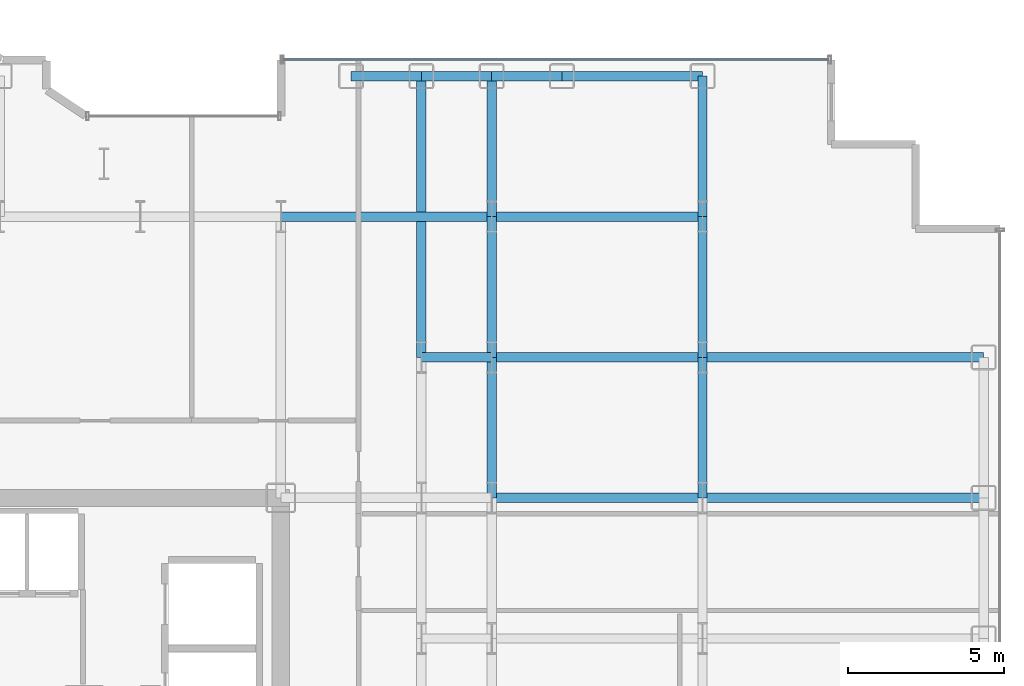
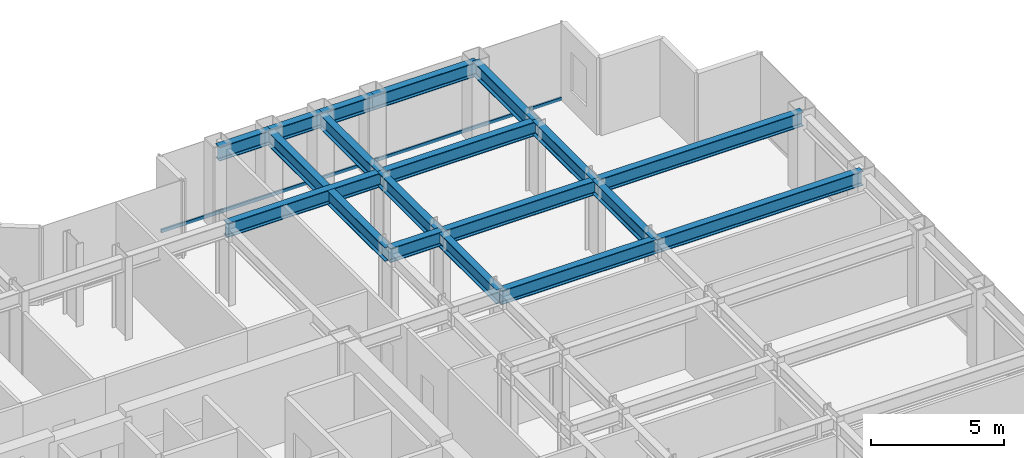
# One storey, part 13 of 26: 18 beams, 1 member, 1 element without a shape of its own.
"""IFC4 building model written with IfcOpenShell, lengths in metres."""

from ifc_helpers import new_model, si_unit, direction, frame, origin, origin_2d, place, context, subcontext, project, spatial, hollow_rectangle, i_section, extrude, source, transform, mapped, material, layer, layer_set, material_profile, profile_set, type_object, element, aggregate, save


model = new_model("IFC4")

# Units and contexts
model_context = context("Model", 3, precision=1e-05, world=origin(), true_north=direction((0.0, 1.0)))
body_context = subcontext(model_context, "Body", "Model", "MODEL_VIEW")
ifc_project = project(units=[si_unit("LENGTHUNIT", "METRE"), si_unit("AREAUNIT", "SQUARE_METRE"), si_unit("VOLUMEUNIT", "CUBIC_METRE"), si_unit("PLANEANGLEUNIT", "RADIAN"), si_unit("MASSUNIT", "GRAM", prefix="KILO")], contexts=[model_context])

# Site, building, storey
site_placement = place(None, origin())
site = spatial("IfcSite", under=ifc_project, at=site_placement, CompositionType="ELEMENT")
building_placement = place(site_placement, origin())
building = spatial("IfcBuilding", under=site, at=building_placement, Name="Nefas-Gora Pilgrimage Tower", CompositionType="ELEMENT")
storey_placement = place(building_placement, frame((0.0, 0.0, 132.60009765625)))
storey = spatial("IfcBuildingStorey", under=building, at=storey_placement, Name="L32", CompositionType="ELEMENT", Elevation=132.60009765625)

# Beams
ifc_material_1 = material(Name="Steel S355", Category="steel")
ifc_material_profile_1 = material_profile(ifc_material_1, i_section(OverallWidth=0.300048828125, OverallDepth=0.64990234375, WebThickness=0.01611328125, FlangeThickness=0.031005859375, FilletRadius=0.027099609375, at=origin_2d()), Name="HEB 650")
ifc_profile_set_1 = profile_set([ifc_material_profile_1], Name="Steel S355")
beam_type_1 = type_object("IfcBeamType", Name="BM-SPN-HEB500", PredefinedType="SPANDREL", material=ifc_profile_set_1)
shared_shape_1 = source(origin(), body_context, "Body", "SweptSolid", [
    extrude(i_section(OverallWidth=0.300048828125, OverallDepth=0.64990234375, WebThickness=0.01611328125, FlangeThickness=0.031005859375, FilletRadius=0.027099609375, at=origin_2d()), origin(), (0.0, 0.0, 1.0), 4.5),
])
beam_1_placement = place(storey_placement, frame((20.25, 22.5, 3.224853515625), z_axis=(1.0, 0.0, 0.0), x_axis=(0.0, 1.0, 0.0)))
element("IfcBeam", 1, at=beam_1_placement, inside=storey, type_object=beam_type_1, Name="L32 SP-02 beam", PredefinedType="SPANDREL", context=body_context, shape_type="MappedRepresentation", body=[
    mapped(shared_shape_1, transform((0.0, 0.0, 0.0), x_axis=(1.0, 0.0, 0.0), y_axis=(0.0, 1.0, 0.0), z_axis=(0.0, 0.0, 1.0), scale=1.0)),
])
ifc_material_profile_2 = material_profile(ifc_material_1, i_section(OverallWidth=0.300048828125, OverallDepth=0.64990234375, WebThickness=0.01611328125, FlangeThickness=0.031005859375, FilletRadius=0.027099609375, at=origin_2d()), Name="HEB 650")
ifc_profile_set_2 = profile_set([ifc_material_profile_2], Name="Steel S355")
beam_type_2 = type_object("IfcBeamType", Name="BM-GIR-HEB650", PredefinedType="BEAM", material=ifc_profile_set_2)
shared_shape_2 = source(origin(), body_context, "Body", "SweptSolid", [
    extrude(i_section(OverallWidth=0.300048828125, OverallDepth=0.64990234375, WebThickness=0.01611328125, FlangeThickness=0.031005859375, FilletRadius=0.027099609375, at=origin_2d()), origin(), (0.0, 0.0, 1.0), 9.0),
])
for number, where, z_axis, x_axis, name in (
    (2, (15.75, 13.5, 3.224853515625), (0.0, 1.0, 0.0), (-1.0, 0.0, 0.0), "L32 G-03 beam"),
    (3, (24.75, 9.0, 3.224853515625), (1.0, 0.0, 0.0), (0.0, 1.0, 0.0), "L32 G-03 beam"),
    (4, (24.75, 13.5, 3.224853515625), (1.0, 0.0, 0.0), (0.0, 1.0, 0.0), "L32 G-03 beam"),
):
    element("IfcBeam", number, at=place(storey_placement, frame(where, z_axis=z_axis, x_axis=x_axis)), inside=storey, type_object=beam_type_2, Name=name, PredefinedType="BEAM", context=body_context, shape_type="MappedRepresentation", body=[
        mapped(shared_shape_2, transform((0.0, 0.0, 0.0), x_axis=(1.0, 0.0, 0.0), y_axis=(0.0, 1.0, 0.0), z_axis=(0.0, 0.0, 1.0), scale=1.0)),
    ])
shared_shape_3 = source(origin(), body_context, "Body", "SweptSolid", [
    extrude(i_section(OverallWidth=0.300048828125, OverallDepth=0.64990234375, WebThickness=0.01611328125, FlangeThickness=0.031005859375, FilletRadius=0.027099609375, at=origin_2d()), origin(), (0.0, 0.0, 1.0), 4.5),
])
for number, where, z_axis, x_axis, name in (
    (5, (18.0, 9.0, 3.224853515625), (0.0, 1.0, 0.0), (-1.0, 0.0, 0.0), "L32 G-03 beam"),
    (6, (18.0, 13.5, 3.224853515625), (0.0, 1.0, 0.0), (-1.0, 0.0, 0.0), "L32 G-03 beam"),
    (7, (18.0, 18.0, 3.224853515625), (0.0, 1.0, 0.0), (-1.0, 0.0, 0.0), "L32 G-03 beam"),
    (8, (24.75, 9.0, 3.224853515625), (0.0, 1.0, 0.0), (-1.0, 0.0, 0.0), "L32 G-03 beam"),
    (9, (24.75, 13.5, 3.224853515625), (0.0, 1.0, 0.0), (-1.0, 0.0, 0.0), "L32 G-03 beam"),
    (10, (24.75, 18.0, 3.224853515625), (0.0, 1.0, 0.0), (-1.0, 0.0, 0.0), "L32 G-03 beam"),
):
    element("IfcBeam", number, at=place(storey_placement, frame(where, z_axis=z_axis, x_axis=x_axis)), inside=storey, type_object=beam_type_2, Name=name, PredefinedType="BEAM", context=body_context, shape_type="MappedRepresentation", body=[
        mapped(shared_shape_3, transform((0.0, 0.0, 0.0), x_axis=(1.0, 0.0, 0.0), y_axis=(0.0, 1.0, 0.0), z_axis=(0.0, 0.0, 1.0), scale=1.0)),
    ])
shared_shape_4 = source(origin(), body_context, "Body", "SweptSolid", [
    extrude(i_section(OverallWidth=0.300048828125, OverallDepth=0.64990234375, WebThickness=0.01611328125, FlangeThickness=0.031005859375, FilletRadius=0.027099609375, at=origin_2d()), origin(), (0.0, 0.0, 1.0), 6.75),
])
for number, where, z_axis, x_axis, name in (
    (11, (11.25, 18.0, 3.224853515625), (1.0, 0.0, 0.0), (0.0, 1.0, 0.0), "L32 G-03 beam"),
    (12, (18.0, 9.0, 3.224853515625), (1.0, 0.0, 0.0), (0.0, 1.0, 0.0), "L32 G-03 beam"),
    (13, (18.0, 13.5, 3.224853515625), (1.0, 0.0, 0.0), (0.0, 1.0, 0.0), "L32 G-03 beam"),
    (14, (18.0, 18.0, 3.224853515625), (1.0, 0.0, 0.0), (0.0, 1.0, 0.0), "L32 G-03 beam"),
):
    element("IfcBeam", number, at=place(storey_placement, frame(where, z_axis=z_axis, x_axis=x_axis)), inside=storey, type_object=beam_type_2, Name=name, PredefinedType="BEAM", context=body_context, shape_type="MappedRepresentation", body=[
        mapped(shared_shape_4, transform((0.0, 0.0, 0.0), x_axis=(1.0, 0.0, 0.0), y_axis=(0.0, 1.0, 0.0), z_axis=(0.0, 0.0, 1.0), scale=1.0)),
    ])
shared_shape_5 = source(origin(), body_context, "Body", "SweptSolid", [
    extrude(i_section(OverallWidth=0.300048828125, OverallDepth=0.64990234375, WebThickness=0.01611328125, FlangeThickness=0.031005859375, FilletRadius=0.027099609375, at=origin_2d()), origin(), (0.0, 0.0, 1.0), 2.25),
])
for number, where, z_axis, x_axis, name in (
    (15, (13.5, 22.5, 3.224853515625), (1.0, 0.0, 0.0), (0.0, 1.0, 0.0), "L32 SP-02 beam"),
    (16, (15.75, 22.5, 3.224853515625), (1.0, 0.0, 0.0), (0.0, 1.0, 0.0), "L32 SP-02 beam"),
    (17, (18.0, 22.5, 3.224853515625), (1.0, 0.0, 0.0), (0.0, 1.0, 0.0), "L32 SP-02 beam"),
):
    element("IfcBeam", number, at=place(storey_placement, frame(where, z_axis=z_axis, x_axis=x_axis)), inside=storey, type_object=beam_type_1, Name=name, PredefinedType="SPANDREL", context=body_context, shape_type="MappedRepresentation", body=[
        mapped(shared_shape_5, transform((0.0, 0.0, 0.0), x_axis=(1.0, 0.0, 0.0), y_axis=(0.0, 1.0, 0.0), z_axis=(0.0, 0.0, 1.0), scale=1.0)),
    ])
shared_shape_6 = source(origin(), body_context, "Body", "SweptSolid", [
    extrude(i_section(OverallWidth=0.300048828125, OverallDepth=0.64990234375, WebThickness=0.01611328125, FlangeThickness=0.031005859375, FilletRadius=0.027099609375, at=origin_2d()), origin(), (0.0, 0.0, 1.0), 2.25),
])
beam_2_placement = place(storey_placement, frame((15.75, 13.5, 3.224853515625), z_axis=(1.0, 0.0, 0.0), x_axis=(0.0, 1.0, 0.0)))
element("IfcBeam", 18, at=beam_2_placement, inside=storey, type_object=beam_type_2, Name="L32 G-03 beam", PredefinedType="BEAM", context=body_context, shape_type="MappedRepresentation", body=[
    mapped(shared_shape_6, transform((0.0, 0.0, 0.0), x_axis=(1.0, 0.0, 0.0), y_axis=(0.0, 1.0, 0.0), z_axis=(0.0, 0.0, 1.0), scale=1.0)),
])

# Curtain wall, member
ifc_material_2 = material(Name="Dark ceramic-fritted solar-control aluminium-glass curtain wall", Category="aluminium")
ifc_layer = layer(ifc_material_2, 0.219970703125)
ifc_layer_set = layer_set([ifc_layer], Name="Dark ceramic-fritted solar-control aluminium-glass curtain wall")
curtain_wall_type = type_object("IfcCurtainWallType", Name="CW-SYS-2", PredefinedType="NOTDEFINED", material=ifc_layer_set)
curtain_wall_placement = place(storey_placement, origin())
curtain_wall = element("IfcCurtainWall", 19, at=curtain_wall_placement, inside=storey, type_object=curtain_wall_type, Name="L32 Unitised Curtain Wall CW2", PredefinedType="NOTDEFINED")
ifc_material_3 = material(Name="Anodised architectural aluminium", Category="aluminium")
ifc_material_profile_3 = material_profile(ifc_material_3, hollow_rectangle(XDim=0.080078125, YDim=0.159912109375, WallThickness=0.00439453125, InnerFilletRadius=0.00439453125, OuterFilletRadius=0.009033203125, at=origin_2d()), Name="ALU TRANSOM 80x160")
ifc_profile_set_3 = profile_set([ifc_material_profile_3], Name="Anodised architectural aluminium")
member_type = type_object("IfcMemberType", Name="CWM-TRN-2", PredefinedType="USERDEFINED", material=ifc_profile_set_3)
shared_shape_7 = source(origin(), body_context, "Body", "SweptSolid", [
    extrude(hollow_rectangle(XDim=0.080078125, YDim=0.159912109375, WallThickness=0.00439453125, InnerFilletRadius=0.00439453125, OuterFilletRadius=0.009033203125, at=origin_2d()), origin(), (0.0, 0.0, 1.0), 17.43994140625),
])
member_placement = place(storey_placement, frame((28.780029296875, 23.02001953125, 0.0498046875), z_axis=(-1.0, 0.0, 0.0), x_axis=(0.0, -1.0, 0.0)))
member = element("IfcMember", 20, at=member_placement, type_object=member_type, Name="CW2 Spandrel Transom", ObjectType="TRANSOM", PredefinedType="USERDEFINED", context=body_context, shape_type="MappedRepresentation", body=[
    mapped(shared_shape_7, transform((0.0, 0.0, 0.0), x_axis=(1.0, 0.0, 0.0), y_axis=(0.0, 1.0, 0.0), z_axis=(0.0, 0.0, 1.0), scale=1.0)),
])
aggregate(curtain_wall, [member])

save(model, "model.ifc")
